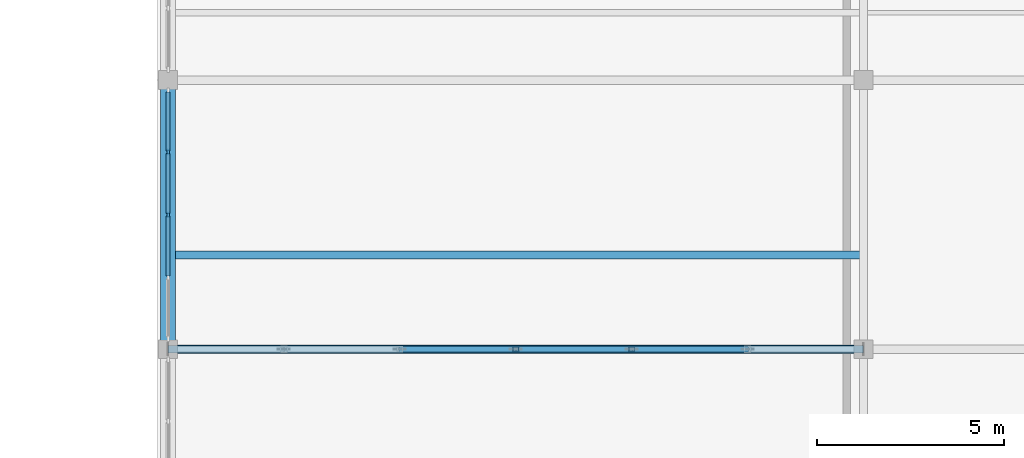
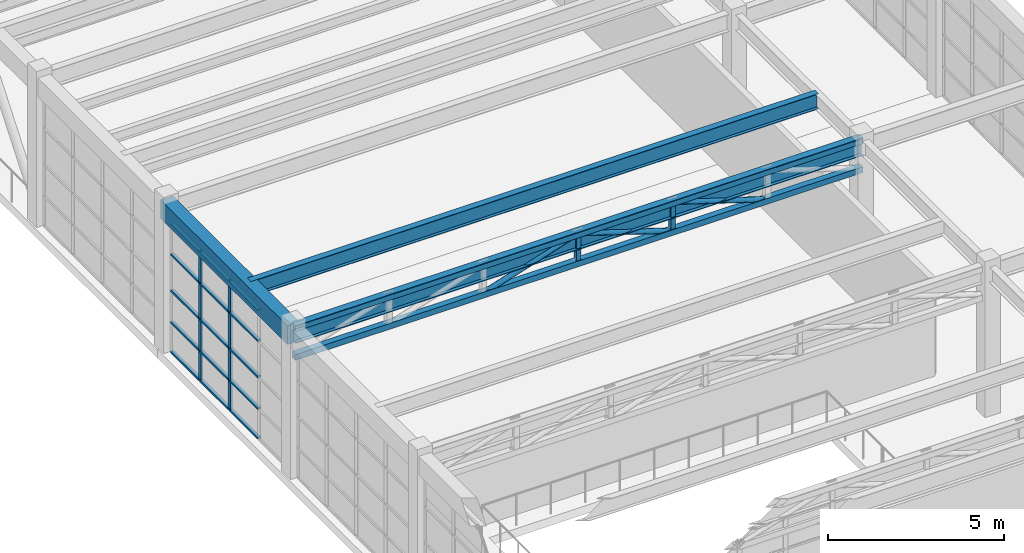
# One storey, part 49 of 103: 24 members, 3 beams, 1 element without a shape of its own.
"""IFC4 building model written with IfcOpenShell, lengths in metres."""

from ifc_helpers import new_model, si_unit, direction, frame, origin, origin_2d, place, context, subcontext, project, spatial, rectangle, hollow_rectangle, hollow_circle, i_section, extrude, material, layer, layer_set, material_profile, profile_set, type_object, element, aggregate, save


model = new_model("IFC4")

# Units and contexts
model_context = context("Model", 3, precision=1e-05, world=origin(), true_north=direction((0.0, 1.0)))
body_context = subcontext(model_context, "Body", "Model", "MODEL_VIEW")
ifc_project = project(units=[si_unit("LENGTHUNIT", "METRE"), si_unit("AREAUNIT", "SQUARE_METRE"), si_unit("VOLUMEUNIT", "CUBIC_METRE"), si_unit("PLANEANGLEUNIT", "RADIAN"), si_unit("MASSUNIT", "GRAM", prefix="KILO")], contexts=[model_context])

# Site, building, storey
site_placement = place(None, origin())
site = spatial("IfcSite", under=ifc_project, at=site_placement, CompositionType="ELEMENT")
building_placement = place(site_placement, origin())
building = spatial("IfcBuilding", under=site, at=building_placement, Name="Candilejo Ridge Gondola Terminal", CompositionType="ELEMENT")
storey_placement = place(building_placement, frame((0.0, 0.0, 9.0)))
storey = spatial("IfcBuildingStorey", under=building, at=storey_placement, Name="L02", CompositionType="ELEMENT", Elevation=9.0)

# Curtain wall, members
ifc_material_1 = material(Name="Anodised aluminium AA 6063-T6", Category="aluminium")
ifc_layer = layer(ifc_material_1, 0.169921875)
ifc_layer_set = layer_set([ifc_layer], Name="ARC-CW-TOWER-3000-670X449")
curtain_wall_type = type_object("IfcCurtainWallType", Name="ARC-CW-TOWER-3000-670X449", PredefinedType="NOTDEFINED", material=ifc_layer_set)
curtain_wall_placement = place(storey_placement, origin())
curtain_wall = element("IfcCurtainWall", 1, at=curtain_wall_placement, inside=storey, type_object=curtain_wall_type, Name="Curtain wall V5 L02-178", PredefinedType="NOTDEFINED")
ifc_material_2 = material(Name="Anodised aluminium AA 6063-T6", Category="aluminium")
ifc_material_profile_1 = material_profile(ifc_material_2, rectangle(XDim=0.06494140625, YDim=0.14990234375, at=origin_2d()))
ifc_profile_set_1 = profile_set([ifc_material_profile_1], Name="Anodised aluminium AA 6063-T6")
member_type_1 = type_object("IfcMemberType", Name="ARC-CW-MULLION-150", PredefinedType="MULLION", material=ifc_profile_set_1)
member_1_placement = place(storey_placement, frame((150.0, 66.64990234375, 0.0), z_axis=(0.0, 0.0, 1.0), x_axis=(-1.0, 0.0, 0.0)))
member_1 = element("IfcMember", 2, at=member_1_placement, type_object=member_type_1, Name="CW-67X44 mullion 3", PredefinedType="MULLION", context=body_context, shape_type="SweptSolid", body=[
    extrude(rectangle(XDim=0.06494140625, YDim=0.14990234375, at=origin_2d()), origin(), (0.0, 0.0, 1.0), 4.489990234375),
])
member_2_placement = place(storey_placement, frame((150.0, 68.324951171875, 0.0), z_axis=(0.0, 0.0, 1.0), x_axis=(-1.0, 0.0, 0.0)))
member_2 = element("IfcMember", 3, at=member_2_placement, type_object=member_type_1, Name="CW-67X44 mullion 4", PredefinedType="MULLION", context=body_context, shape_type="SweptSolid", body=[
    extrude(rectangle(XDim=0.06494140625, YDim=0.14990234375, at=origin_2d()), origin(), (0.0, 0.0, 1.0), 4.489990234375),
])
ifc_material_3 = material(Name="Anodised aluminium AA 6063-T6", Category="aluminium")
ifc_material_profile_2 = material_profile(ifc_material_3, rectangle(XDim=0.110107421875, YDim=0.06005859375, at=origin_2d()))
ifc_profile_set_2 = profile_set([ifc_material_profile_2], Name="Anodised aluminium AA 6063-T6")
member_type_2 = type_object("IfcMemberType", Name="ARC-CW-TRANSOM-110", PredefinedType="USERDEFINED", material=ifc_profile_set_2)
member_3_placement = place(storey_placement, frame((150.0, 65.007568359375, 0.030029296875), z_axis=(0.0, 1.0, 0.0), x_axis=(-1.0, 0.0, 0.0)))
member_3 = element("IfcMember", 4, at=member_3_placement, type_object=member_type_2, Name="CW-67X44 transom 2.1", ObjectType="TRANSOM", PredefinedType="USERDEFINED", context=body_context, shape_type="SweptSolid", body=[
    extrude(rectangle(XDim=0.110107421875, YDim=0.06005859375, at=origin_2d()), origin(), (0.0, 0.0, 1.0), 1.60986328125),
])
member_4_placement = place(storey_placement, frame((150.0, 65.007568359375, 1.050048828125), z_axis=(0.0, 1.0, 0.0), x_axis=(-1.0, 0.0, 0.0)))
member_4 = element("IfcMember", 5, at=member_4_placement, type_object=member_type_2, Name="CW-67X44 transom 2.2", ObjectType="TRANSOM", PredefinedType="USERDEFINED", context=body_context, shape_type="SweptSolid", body=[
    extrude(rectangle(XDim=0.110107421875, YDim=0.06005859375, at=origin_2d()), origin(), (0.0, 0.0, 1.0), 1.60986328125),
])
member_5_placement = place(storey_placement, frame((150.0, 65.007568359375, 2.14990234375), z_axis=(0.0, 1.0, 0.0), x_axis=(-1.0, 0.0, 0.0)))
member_5 = element("IfcMember", 6, at=member_5_placement, type_object=member_type_2, Name="CW-67X44 transom 2.3", ObjectType="TRANSOM", PredefinedType="USERDEFINED", context=body_context, shape_type="SweptSolid", body=[
    extrude(rectangle(XDim=0.110107421875, YDim=0.06005859375, at=origin_2d()), origin(), (0.0, 0.0, 1.0), 1.60986328125),
])
member_6_placement = place(storey_placement, frame((150.0, 65.007568359375, 3.39990234375), z_axis=(0.0, 1.0, 0.0), x_axis=(-1.0, 0.0, 0.0)))
member_6 = element("IfcMember", 7, at=member_6_placement, type_object=member_type_2, Name="CW-67X44 transom 2.4", ObjectType="TRANSOM", PredefinedType="USERDEFINED", context=body_context, shape_type="SweptSolid", body=[
    extrude(rectangle(XDim=0.110107421875, YDim=0.06005859375, at=origin_2d()), origin(), (0.0, 0.0, 1.0), 1.60986328125),
])
member_7_placement = place(storey_placement, frame((150.0, 65.007568359375, 4.4599609375), z_axis=(0.0, 1.0, 0.0), x_axis=(-1.0, 0.0, 0.0)))
member_7 = element("IfcMember", 8, at=member_7_placement, type_object=member_type_2, Name="CW-67X44 transom 2.5", ObjectType="TRANSOM", PredefinedType="USERDEFINED", context=body_context, shape_type="SweptSolid", body=[
    extrude(rectangle(XDim=0.110107421875, YDim=0.06005859375, at=origin_2d()), origin(), (0.0, 0.0, 1.0), 1.60986328125),
])
member_8_placement = place(storey_placement, frame((150.0, 66.6826171875, 0.030029296875), z_axis=(0.0, 1.0, 0.0), x_axis=(-1.0, 0.0, 0.0)))
member_8 = element("IfcMember", 9, at=member_8_placement, type_object=member_type_2, Name="CW-67X44 transom 3.1", ObjectType="TRANSOM", PredefinedType="USERDEFINED", context=body_context, shape_type="SweptSolid", body=[
    extrude(rectangle(XDim=0.110107421875, YDim=0.06005859375, at=origin_2d()), origin(), (0.0, 0.0, 1.0), 1.60986328125),
])
member_9_placement = place(storey_placement, frame((150.0, 66.6826171875, 1.050048828125), z_axis=(0.0, 1.0, 0.0), x_axis=(-1.0, 0.0, 0.0)))
member_9 = element("IfcMember", 10, at=member_9_placement, type_object=member_type_2, Name="CW-67X44 transom 3.2", ObjectType="TRANSOM", PredefinedType="USERDEFINED", context=body_context, shape_type="SweptSolid", body=[
    extrude(rectangle(XDim=0.110107421875, YDim=0.06005859375, at=origin_2d()), origin(), (0.0, 0.0, 1.0), 1.60986328125),
])
member_10_placement = place(storey_placement, frame((150.0, 66.6826171875, 2.14990234375), z_axis=(0.0, 1.0, 0.0), x_axis=(-1.0, 0.0, 0.0)))
member_10 = element("IfcMember", 11, at=member_10_placement, type_object=member_type_2, Name="CW-67X44 transom 3.3", ObjectType="TRANSOM", PredefinedType="USERDEFINED", context=body_context, shape_type="SweptSolid", body=[
    extrude(rectangle(XDim=0.110107421875, YDim=0.06005859375, at=origin_2d()), origin(), (0.0, 0.0, 1.0), 1.60986328125),
])
member_11_placement = place(storey_placement, frame((150.0, 66.6826171875, 3.39990234375), z_axis=(0.0, 1.0, 0.0), x_axis=(-1.0, 0.0, 0.0)))
member_11 = element("IfcMember", 12, at=member_11_placement, type_object=member_type_2, Name="CW-67X44 transom 3.4", ObjectType="TRANSOM", PredefinedType="USERDEFINED", context=body_context, shape_type="SweptSolid", body=[
    extrude(rectangle(XDim=0.110107421875, YDim=0.06005859375, at=origin_2d()), origin(), (0.0, 0.0, 1.0), 1.60986328125),
])
member_12_placement = place(storey_placement, frame((150.0, 66.6826171875, 4.4599609375), z_axis=(0.0, 1.0, 0.0), x_axis=(-1.0, 0.0, 0.0)))
member_12 = element("IfcMember", 13, at=member_12_placement, type_object=member_type_2, Name="CW-67X44 transom 3.5", ObjectType="TRANSOM", PredefinedType="USERDEFINED", context=body_context, shape_type="SweptSolid", body=[
    extrude(rectangle(XDim=0.110107421875, YDim=0.06005859375, at=origin_2d()), origin(), (0.0, 0.0, 1.0), 1.60986328125),
])
member_13_placement = place(storey_placement, frame((150.0, 68.357421875, 0.030029296875), z_axis=(0.0, 1.0, 0.0), x_axis=(-1.0, 0.0, 0.0)))
member_13 = element("IfcMember", 14, at=member_13_placement, type_object=member_type_2, Name="CW-67X44 transom 4.1", ObjectType="TRANSOM", PredefinedType="USERDEFINED", context=body_context, shape_type="SweptSolid", body=[
    extrude(rectangle(XDim=0.110107421875, YDim=0.06005859375, at=origin_2d()), origin(), (0.0, 0.0, 1.0), 1.57763671875),
])
member_14_placement = place(storey_placement, frame((150.0, 68.357421875, 1.050048828125), z_axis=(0.0, 1.0, 0.0), x_axis=(-1.0, 0.0, 0.0)))
member_14 = element("IfcMember", 15, at=member_14_placement, type_object=member_type_2, Name="CW-67X44 transom 4.2", ObjectType="TRANSOM", PredefinedType="USERDEFINED", context=body_context, shape_type="SweptSolid", body=[
    extrude(rectangle(XDim=0.110107421875, YDim=0.06005859375, at=origin_2d()), origin(), (0.0, 0.0, 1.0), 1.57763671875),
])
member_15_placement = place(storey_placement, frame((150.0, 68.357421875, 2.14990234375), z_axis=(0.0, 1.0, 0.0), x_axis=(-1.0, 0.0, 0.0)))
member_15 = element("IfcMember", 16, at=member_15_placement, type_object=member_type_2, Name="CW-67X44 transom 4.3", ObjectType="TRANSOM", PredefinedType="USERDEFINED", context=body_context, shape_type="SweptSolid", body=[
    extrude(rectangle(XDim=0.110107421875, YDim=0.06005859375, at=origin_2d()), origin(), (0.0, 0.0, 1.0), 1.57763671875),
])
member_16_placement = place(storey_placement, frame((150.0, 68.357421875, 3.39990234375), z_axis=(0.0, 1.0, 0.0), x_axis=(-1.0, 0.0, 0.0)))
member_16 = element("IfcMember", 17, at=member_16_placement, type_object=member_type_2, Name="CW-67X44 transom 4.4", ObjectType="TRANSOM", PredefinedType="USERDEFINED", context=body_context, shape_type="SweptSolid", body=[
    extrude(rectangle(XDim=0.110107421875, YDim=0.06005859375, at=origin_2d()), origin(), (0.0, 0.0, 1.0), 1.57763671875),
])
member_17_placement = place(storey_placement, frame((150.0, 68.357421875, 4.4599609375), z_axis=(0.0, 1.0, 0.0), x_axis=(-1.0, 0.0, 0.0)))
member_17 = element("IfcMember", 18, at=member_17_placement, type_object=member_type_2, Name="CW-67X44 transom 4.5", ObjectType="TRANSOM", PredefinedType="USERDEFINED", context=body_context, shape_type="SweptSolid", body=[
    extrude(rectangle(XDim=0.110107421875, YDim=0.06005859375, at=origin_2d()), origin(), (0.0, 0.0, 1.0), 1.57763671875),
])
aggregate(curtain_wall, [member_1, member_2, member_3, member_4, member_5, member_6, member_7, member_8, member_9, member_10, member_11, member_12, member_13, member_14, member_15, member_16, member_17])

# Beams
ifc_material_4 = material(Name="Steel ASTM A992 Grade 50", Category="steel")
ifc_material_profile_3 = material_profile(ifc_material_4, i_section(OverallWidth=0.208984375, OverallDepth=0.532958984375, WebThickness=0.01025390625, FlangeThickness=0.015625, at=origin_2d()))
ifc_profile_set_3 = profile_set([ifc_material_profile_3], Name="Steel ASTM A992 Grade 50")
beam_type_1 = type_object("IfcBeamType", Name="STR-BM-W530X92", PredefinedType="BEAM", material=ifc_profile_set_3)
beam_1_placement = place(storey_placement, frame((150.0, 65.570068359375, 4.8935546875), z_axis=(1.0, 0.0, 0.0), x_axis=(0.0, 1.0, 0.0)))
element("IfcBeam", 19, at=beam_1_placement, inside=storey, type_object=beam_type_1, Name="Cabin storage runway girder 03", PredefinedType="BEAM", context=body_context, shape_type="SweptSolid", body=[
    extrude(i_section(OverallWidth=0.208984375, OverallDepth=0.532958984375, WebThickness=0.01025390625, FlangeThickness=0.015625, at=origin_2d()), origin(), (0.0, 0.0, 1.0), 18.60009765625),
])
ifc_material_5 = material(Name="Steel ASTM A992 Grade 50", Category="steel")
ifc_material_profile_4 = material_profile(ifc_material_5, i_section(OverallWidth=0.22900390625, OverallDepth=0.612060546875, WebThickness=0.011962890625, FlangeThickness=0.01953125, at=origin_2d()))
ifc_profile_set_4 = profile_set([ifc_material_profile_4], Name="Steel ASTM A992 Grade 50")
beam_type_2 = type_object("IfcBeamType", Name="STR-BM-W610X125", PredefinedType="BEAM", material=ifc_profile_set_4)
beam_2_placement = place(storey_placement, frame((150.0, 63.050048828125, 4.85400390625), z_axis=(1.0, 0.0, 0.0), x_axis=(0.0, 1.0, 0.0)))
element("IfcBeam", 20, at=beam_2_placement, inside=storey, type_object=beam_type_2, Name="Beam X V5 L02 X23-X25@Y12", PredefinedType="BEAM", context=body_context, shape_type="SweptSolid", body=[
    extrude(i_section(OverallWidth=0.22900390625, OverallDepth=0.612060546875, WebThickness=0.011962890625, FlangeThickness=0.01953125, at=origin_2d()), origin(), (0.0, 0.0, 1.0), 18.60009765625),
])

# Members
ifc_material_6 = material(Name="Steel ASTM A500 Grade C", Category="steel")
ifc_material_profile_5 = material_profile(ifc_material_6, hollow_circle(Radius=0.084228515625, WallThickness=0.007080078125, at=origin_2d()))
ifc_profile_set_5 = profile_set([ifc_material_profile_5], Name="Steel ASTM A500 Grade C")
member_type_3 = type_object("IfcMemberType", Name="STR-BRC-CHS168", PredefinedType="BRACE", material=ifc_profile_set_5)
member_18_placement = place(storey_placement, frame((156.199951171875, 63.050048828125, 4.050048828125), z_axis=(0.951711443346, 0.0, 0.306994020471), x_axis=(0.0, 1.0, 0.0)))
element("IfcMember", 21, at=member_18_placement, inside=storey, type_object=member_type_3, Name="Garage truss diagonal 03-03", PredefinedType="BRACE", context=body_context, shape_type="SweptSolid", body=[
    extrude(hollow_circle(Radius=0.084228515625, WallThickness=0.007080078125, at=origin_2d()), origin(), (0.0, 0.0, 1.0), 3.25732421875),
])
member_19_placement = place(storey_placement, frame((162.39990234375, 63.050048828125, 4.050048828125), z_axis=(-0.951704378929, 0.0, 0.307015919989), x_axis=(0.0, -1.0, 0.0)))
element("IfcMember", 22, at=member_19_placement, inside=storey, type_object=member_type_3, Name="Garage truss diagonal 03-04", PredefinedType="BRACE", context=body_context, shape_type="SweptSolid", body=[
    extrude(hollow_circle(Radius=0.084228515625, WallThickness=0.007080078125, at=origin_2d()), origin(), (0.0, 0.0, 1.0), 3.257080078125),
])
member_20_placement = place(storey_placement, frame((165.5, 63.050048828125, 4.050048828125), z_axis=(-0.951711443346, 0.0, 0.306994020471), x_axis=(0.0, -1.0, 0.0)))
element("IfcMember", 23, at=member_20_placement, inside=storey, type_object=member_type_3, Name="Garage truss diagonal 03-05", PredefinedType="BRACE", context=body_context, shape_type="SweptSolid", body=[
    extrude(hollow_circle(Radius=0.084228515625, WallThickness=0.007080078125, at=origin_2d()), origin(), (0.0, 0.0, 1.0), 3.25732421875),
])
ifc_material_7 = material(Name="Steel ASTM A500 Grade C", Category="steel")
ifc_material_profile_6 = material_profile(ifc_material_7, hollow_rectangle(XDim=0.199951171875, YDim=0.199951171875, WallThickness=0.008056640625, at=origin_2d()))
ifc_profile_set_6 = profile_set([ifc_material_profile_6], Name="Steel ASTM A500 Grade C")
member_type_4 = type_object("IfcMemberType", Name="STR-CHD-HSS200", PredefinedType="CHORD", material=ifc_profile_set_6)
for number, where, z_axis, x_axis, name in (
    (24, (150.0, 63.050048828125, 4.050048828125), (1.0, 0.0, 0.0), (0.0, 1.0, 0.0), "Garage roof truss bottom chord 03"),
    (25, (150.0, 63.050048828125, 5.050048828125), (1.0, 0.0, 0.0), (0.0, 1.0, 0.0), "Garage roof truss top chord 03"),
):
    element("IfcMember", number, at=place(storey_placement, frame(where, z_axis=z_axis, x_axis=x_axis)), inside=storey, type_object=member_type_4, Name=name, PredefinedType="CHORD", context=body_context, shape_type="SweptSolid", body=[
        extrude(hollow_rectangle(XDim=0.199951171875, YDim=0.199951171875, WallThickness=0.008056640625, at=origin_2d()), origin(), (0.0, 0.0, 1.0), 18.60009765625),
    ])
ifc_material_8 = material(Name="Steel ASTM A500 Grade C", Category="steel")
ifc_material_profile_7 = material_profile(ifc_material_8, hollow_rectangle(XDim=0.14990234375, YDim=0.14990234375, WallThickness=0.00634765625, at=origin_2d()))
ifc_profile_set_7 = profile_set([ifc_material_profile_7], Name="Steel ASTM A500 Grade C")
member_type_5 = type_object("IfcMemberType", Name="STR-PST-HSS150", PredefinedType="POST", material=ifc_profile_set_7)
for number, where, z_axis, x_axis, name in (
    (26, (159.300048828125, 63.050048828125, 4.050048828125), (0.0, 0.0, 1.0), (1.0, 0.0, 0.0), "Garage truss post 03-03"),
    (27, (162.39990234375, 63.050048828125, 4.050048828125), (0.0, 0.0, 1.0), (1.0, 0.0, 0.0), "Garage truss post 03-04"),
):
    element("IfcMember", number, at=place(storey_placement, frame(where, z_axis=z_axis, x_axis=x_axis)), inside=storey, type_object=member_type_5, Name=name, PredefinedType="POST", context=body_context, shape_type="SweptSolid", body=[
        extrude(hollow_rectangle(XDim=0.14990234375, YDim=0.14990234375, WallThickness=0.00634765625, at=origin_2d()), origin(), (0.0, 0.0, 1.0), 1.0),
    ])

# Beam
ifc_material_9 = material(Name="Concrete f'c 35 MPa (C35/45)", Category="concrete")
ifc_material_profile_8 = material_profile(ifc_material_9, rectangle(XDim=0.39990234375, YDim=0.64990234375, at=origin_2d()))
ifc_profile_set_8 = profile_set([ifc_material_profile_8], Name="Concrete f'c 35 MPa (C35/45)")
beam_type_3 = type_object("IfcBeamType", Name="STR-SPN-RC400X650", PredefinedType="SPANDREL", material=ifc_profile_set_8)
beam_3_placement = place(storey_placement, frame((150.0, 63.050048828125, 4.8349609375), z_axis=(0.0, 1.0, 0.0), x_axis=(-1.0, 0.0, 0.0)))
element("IfcBeam", 28, at=beam_3_placement, inside=storey, type_object=beam_type_3, Name="Beam Y V5 L02 Y12-Y13@X23", PredefinedType="SPANDREL", context=body_context, shape_type="SweptSolid", body=[
    extrude(rectangle(XDim=0.39990234375, YDim=0.64990234375, at=origin_2d()), origin(), (0.0, 0.0, 1.0), 7.199951171875),
])

save(model, "model.ifc")
